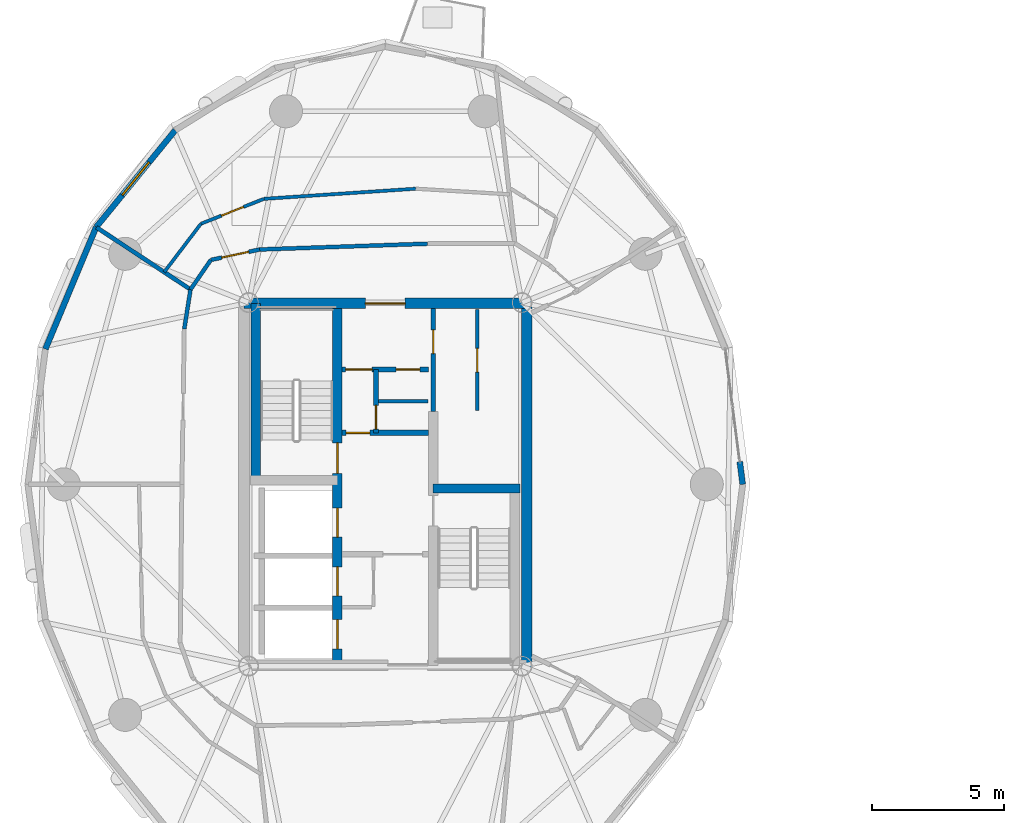
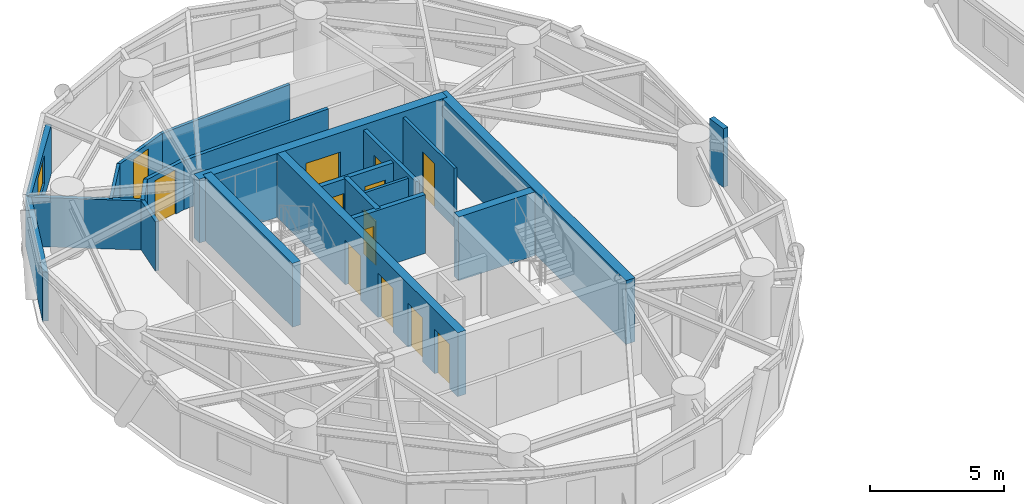
# One storey, part 9 of 16: 22 walls, 13 doors, 1 window, 14 openings.
"""IFC4 building model written with IfcOpenShell, lengths in metres."""

import ifcopenshell
import ifcopenshell.guid

model = None  # the IFC model being written
_history = None  # IfcOwnerHistory: only IFC2X3 demands one
_inside = {}  # id of a spatial element -> (the spatial element, [elements in it])
_under = {}  # id of a project, library or spatial element -> (it, [spatial elements below it])
_declared = {}  # id of a project -> (the project, [libraries it declares])
_typed = {}  # id of a type object -> (the type object, [elements of that type])
_made_of = {}  # id of a material, layer set ... -> (it, [elements and type objects made of it])


def new_model(schema):
    """Start an empty IFC model of exactly this schema.

    Asked for "IFC4X3", IfcOpenShell would pick the latest addendum, in which some entities
    have other attributes; the version numbers below select the first issue.
    IFC2X3 requires an IfcOwnerHistory on every rooted entity: one is made here for all.
    """
    global model, _history
    if schema == "IFC4X3":
        model = ifcopenshell.file(schema_version=(4, 3, 0, 0))
    else:
        model = ifcopenshell.file(schema=schema)
    _inside.clear()
    _under.clear()
    _declared.clear()
    _typed.clear()
    _made_of.clear()
    _history = None
    if model.schema == "IFC2X3":
        org = make("IfcOrganization", Name="unknown")
        user = make(
            "IfcPersonAndOrganization",
            ThePerson=make("IfcPerson", FamilyName="unknown"),
            TheOrganization=org,
        )
        app = make(
            "IfcApplication",
            ApplicationDeveloper=org,
            Version="unknown",
            ApplicationFullName="unknown",
            ApplicationIdentifier="unknown",
        )
        _history = make(
            "IfcOwnerHistory",
            OwningUser=user,
            OwningApplication=app,
            ChangeAction="ADDED",
            CreationDate=0,
        )
    return model


def make(cls, **values):
    """One entity of the class cls with the attributes given. An attribute that is None is left unset."""
    return model.create_entity(
        cls, **{name: value for name, value in values.items() if value is not None}
    )


def rooted(cls, **values):
    """An entity with a GlobalId (a new one), such as an element, a storey or a relation."""
    return make(cls, GlobalId=ifcopenshell.guid.new(), OwnerHistory=_history, **values)


def si_unit(unit_type, name, prefix=None):
    """IfcSIUnit, for example si_unit("LENGTHUNIT", "METRE", prefix="MILLI")."""
    return make("IfcSIUnit", UnitType=unit_type, Prefix=prefix, Name=name)


def assignment(units):
    """IfcUnitAssignment: the units of a project."""
    return None if units is None else make("IfcUnitAssignment", Units=units)


def point(xyz):
    """IfcCartesianPoint."""
    return None if xyz is None else make("IfcCartesianPoint", Coordinates=xyz)


def direction(xyz):
    """IfcDirection."""
    return None if xyz is None else make("IfcDirection", DirectionRatios=xyz)


def frame(location, z_axis=None, x_axis=None):
    """IfcAxis2Placement3D, a coordinate frame: its origin and axes. An axis left out is left unset."""
    return make(
        "IfcAxis2Placement3D",
        Location=point(location),
        Axis=direction(z_axis),
        RefDirection=direction(x_axis),
    )


def frame_2d(location, x_axis=None):
    """IfcAxis2Placement2D, a coordinate frame in the plane: its origin and x axis."""
    return make(
        "IfcAxis2Placement2D", Location=point(location), RefDirection=direction(x_axis)
    )


def origin():
    """The frame at (0, 0, 0) with its axes left unset."""
    return frame((0.0, 0.0, 0.0))


def place(relative_to, where):
    """IfcLocalPlacement: puts the frame where relative to a parent placement (None: the world)."""
    return make(
        "IfcLocalPlacement", PlacementRelTo=relative_to, RelativePlacement=where
    )


def context(
    kind, dimensions, precision=None, world=None, true_north=None, identifier=None
):
    """IfcGeometricRepresentationContext, for example the 3D "Model" context."""
    return make(
        "IfcGeometricRepresentationContext",
        ContextIdentifier=identifier,
        ContextType=kind,
        CoordinateSpaceDimension=dimensions,
        Precision=precision,
        WorldCoordinateSystem=world,
        TrueNorth=true_north,
    )


def subcontext(parent, identifier, kind, view, scale=None):
    """IfcGeometricRepresentationSubContext, for example "Body" below "Model"."""
    return make(
        "IfcGeometricRepresentationSubContext",
        ContextIdentifier=identifier,
        ContextType=kind,
        ParentContext=parent,
        TargetScale=scale,
        TargetView=view,
    )


def project(units=None, contexts=None):
    """IfcProject with its units and contexts."""
    return rooted(
        "IfcProject",
        Name="project",
        RepresentationContexts=contexts,
        UnitsInContext=assignment(units),
    )


def spatial(cls, under=None, at=None, **own):
    """A site, building, storey or space (cls), placed at a placement, below another one or the project."""
    s = rooted(cls, ObjectPlacement=at, **own)
    if under is not None:
        _under.setdefault(under.id(), (under, []))[1].append(s)
    return s


def profile(cls, at=None, kind="AREA", **sizes):
    """A parametric profile (cls). Its sizes go by their IFC names, for example OverallWidth=200.0."""
    return make(cls, ProfileType=kind, Position=at, **sizes)


def rectangle(**sizes):
    """IfcRectangleProfileDef."""
    return profile("IfcRectangleProfileDef", **sizes)


def extrude(swept, where, along, depth):
    """IfcExtrudedAreaSolid: the profile swept, set in the frame where, extruded along a direction by depth."""
    return make(
        "IfcExtrudedAreaSolid",
        SweptArea=swept,
        Position=where,
        ExtrudedDirection=direction(along),
        Depth=depth,
    )


def shape(context_of_items, identifier, shape_type, items):
    """IfcShapeRepresentation: the items that make up one representation, for example the "Body"."""
    return make(
        "IfcShapeRepresentation",
        ContextOfItems=context_of_items,
        RepresentationIdentifier=identifier,
        RepresentationType=shape_type,
        Items=items,
    )


def source(mapping_origin, context_of_items, identifier, shape_type, items):
    """IfcRepresentationMap: a shape defined once, which mapped items show again and again."""
    return make(
        "IfcRepresentationMap",
        MappingOrigin=mapping_origin,
        MappedRepresentation=shape(context_of_items, identifier, shape_type, items),
    )


def transform(
    local_origin,
    x_axis=None,
    y_axis=None,
    z_axis=None,
    scale=None,
    scale2=None,
    scale3=None,
    uniform=True,
):
    """IfcCartesianTransformationOperator3D, or its non-uniform kind. x_axis, y_axis, z_axis: its Axis1, 2, 3."""
    if uniform:
        return make(
            "IfcCartesianTransformationOperator3D",
            Axis1=direction(x_axis),
            Axis2=direction(y_axis),
            LocalOrigin=point(local_origin),
            Scale=scale,
            Axis3=direction(z_axis),
        )
    return make(
        "IfcCartesianTransformationOperator3DnonUniform",
        Axis1=direction(x_axis),
        Axis2=direction(y_axis),
        LocalOrigin=point(local_origin),
        Scale=scale,
        Axis3=direction(z_axis),
        Scale2=scale2,
        Scale3=scale3,
    )


def mapped(mapping_source, mapping_target):
    """IfcMappedItem: shows the shape of a source again, moved by a transform."""
    return make(
        "IfcMappedItem", MappingSource=mapping_source, MappingTarget=mapping_target
    )


def material(Name=None, Category=None):
    """IfcMaterial."""
    return make("IfcMaterial", Name=Name, Category=Category)


def layer(
    of_material, thickness, ventilated=None, Name=None, Category=None, Priority=None
):
    """IfcMaterialLayer: one layer of a wall or slab, of a material (None: an air gap)."""
    return make(
        "IfcMaterialLayer",
        Material=of_material,
        LayerThickness=thickness,
        IsVentilated=ventilated,
        Name=Name,
        Category=Category,
        Priority=Priority,
    )


def layer_set(layers, Name=None):
    """IfcMaterialLayerSet."""
    return make("IfcMaterialLayerSet", MaterialLayers=layers, LayerSetName=Name)


def made_of(thing, what):
    """Note that an element or type object is made of a material, layer set ...; save() writes the relation."""
    if what is not None:
        _made_of.setdefault(what.id(), (what, []))[1].append(thing)
    return thing


def type_object(cls, material=None, **own):
    """A type object (cls), such as IfcWallType, which elements share."""
    return made_of(rooted(cls, **own), material)


def element(
    cls,
    number,
    at=None,
    inside=None,
    cuts=None,
    type_object=None,
    material=None,
    context=None,
    identifier="Body",
    shape_type=None,
    held_by="IfcProductDefinitionShape",
    body=None,
    shapes=None,
    **own,
):
    """One element of the class cls, such as IfcWall. Its Tag is "e" and its number.

    at: its placement. inside: the storey or other place that contains it. cuts: it is an
    opening in that element (IfcRelVoidsElement). A single representation is given by context,
    identifier, shape_type and body (its items); several are given by shapes. held_by: the class
    of the entity that holds the representations. save() writes the other relations.
    """
    e = rooted(cls, Tag="e%d" % number, ObjectPlacement=at, **own)
    if body is not None:
        shapes = [shape(context, identifier, shape_type, body)]
    if shapes is not None:
        e.Representation = make(held_by, Representations=shapes)
    if inside is not None:
        _inside.setdefault(inside.id(), (inside, []))[1].append(e)
    if cuts is not None:
        rooted(
            "IfcRelVoidsElement", RelatingBuildingElement=cuts, RelatedOpeningElement=e
        )
    if type_object is not None:
        _typed.setdefault(type_object.id(), (type_object, []))[1].append(e)
    return made_of(e, material)


def fill(opening, filler):
    """IfcRelFillsElement: the door or window that sits in an opening."""
    return rooted(
        "IfcRelFillsElement",
        RelatingOpeningElement=opening,
        RelatedBuildingElement=filler,
    )


def aggregate(whole, parts):
    """IfcRelAggregates: a whole, such as a stair, and the parts it consists of."""
    return rooted("IfcRelAggregates", RelatingObject=whole, RelatedObjects=parts)


def save(model, path):
    """Write the relations noted so far, then the file.

    IfcRelAggregates (storeys below a building ...), IfcRelContainedInSpatialStructure (elements
    in a storey), IfcRelDefinesByType, IfcRelAssociatesMaterial and IfcRelDeclares: one each for
    every whole, place, type object, material and project.
    """
    for whole, parts in _under.values():
        aggregate(whole, parts)
    for where, things in _inside.values():
        rooted(
            "IfcRelContainedInSpatialStructure",
            RelatedElements=things,
            RelatingStructure=where,
        )
    for kind, things in _typed.values():
        rooted("IfcRelDefinesByType", RelatedObjects=things, RelatingType=kind)
    for what, things in _made_of.values():
        rooted("IfcRelAssociatesMaterial", RelatedObjects=things, RelatingMaterial=what)
    for by, libraries in _declared.values():
        rooted("IfcRelDeclares", RelatingContext=by, RelatedDefinitions=libraries)
    model.write(path)


model = new_model("IFC4")

# Units and contexts
model_context = context("Model", 3, precision=1e-05, world=origin(), true_north=direction((0.0, 1.0)))
body_context = subcontext(model_context, "Body", "Model", "MODEL_VIEW")
ifc_project = project(units=[si_unit("LENGTHUNIT", "METRE"), si_unit("AREAUNIT", "SQUARE_METRE"), si_unit("VOLUMEUNIT", "CUBIC_METRE"), si_unit("PLANEANGLEUNIT", "RADIAN"), si_unit("MASSUNIT", "GRAM", prefix="KILO")], contexts=[model_context])

# Site, building, storey
site_placement = place(None, origin())
site = spatial("IfcSite", under=ifc_project, at=site_placement, CompositionType="ELEMENT")
building_placement = place(site_placement, origin())
building = spatial("IfcBuilding", under=site, at=building_placement, Name="Cununo Teusaquillo Station Towers", CompositionType="ELEMENT")
storey_placement = place(building_placement, frame((0.0, 0.0, 171.969970703125)))
storey = spatial("IfcBuildingStorey", under=building, at=storey_placement, Name="L54", CompositionType="ELEMENT", Elevation=171.969970703125)

# Wall, openings, doors
ifc_material_1 = material(Name="Concrete C50/60", Category="concrete")
ifc_layer_1 = layer(ifc_material_1, 0.35009765625)
ifc_layer_set_1 = layer_set([ifc_layer_1], Name="Concrete C50/60")
wall_type_1 = type_object("IfcWallType", Name="WL-CORE-350", PredefinedType="SHEAR", material=ifc_layer_set_1)
wall_1_placement = place(storey_placement, frame((14.68505859375, 17.64990234375, 0.0), z_axis=(0.0, 0.0, 1.0), x_axis=(0.0, 1.0, 0.0)))
wall_1 = element("IfcWall", 1, at=wall_1_placement, inside=storey, type_object=wall_type_1, Name="L54 Tower A Core Shear Wall IW", PredefinedType="SHEAR", context=body_context, shape_type="SweptSolid", body=[
    extrude(rectangle(XDim=13.7001953125, YDim=0.35009765625, at=frame_2d((6.85009765625, 0.0))), origin(), (0.0, 0.0, 1.0), 2.909912109375),
])
shared_shape_1 = source(origin(), body_context, "Body", "SweptSolid", [
    extrude(rectangle(XDim=1.10009765625, YDim=2.014892578125, at=frame_2d((0.550048828125, 1.00732421875))), frame((0.0, 0.18505859375, 0.0), z_axis=(0.0, -1.0, 0.0), x_axis=(1.0, 0.0, 0.0)), (0.0, 0.0, 1.0), 0.3701171875),
])
opening_1_placement = place(wall_1_placement, frame((4.85009765625, 0.0, 0.0)))
opening_1 = element("IfcOpeningElement", 2, at=opening_1_placement, cuts=wall_1, Name="Opening LD-01", PredefinedType="OPENING", context=body_context, shape_type="MappedRepresentation", body=[
    mapped(shared_shape_1, transform((0.0, 0.0, 0.0), x_axis=(1.0, 0.0, 0.0), y_axis=(0.0, 1.0, 0.0), z_axis=(0.0, 0.0, 1.0), scale=1.0)),
])
opening_2_placement = place(wall_1_placement, frame((0.625, 0.0, 0.0)))
opening_2 = element("IfcOpeningElement", 3, at=opening_2_placement, cuts=wall_1, Name="Opening LD-01", PredefinedType="OPENING", context=body_context, shape_type="MappedRepresentation", body=[
    mapped(shared_shape_1, transform((0.0, 0.0, 0.0), x_axis=(1.0, 0.0, 0.0), y_axis=(0.0, 1.0, 0.0), z_axis=(0.0, 0.0, 1.0), scale=1.0)),
])
opening_3_placement = place(wall_1_placement, frame((2.625, 0.0, 0.0)))
opening_3 = element("IfcOpeningElement", 4, at=opening_3_placement, cuts=wall_1, Name="Opening LD-01", PredefinedType="OPENING", context=body_context, shape_type="MappedRepresentation", body=[
    mapped(shared_shape_1, transform((0.0, 0.0, 0.0), x_axis=(1.0, 0.0, 0.0), y_axis=(0.0, 1.0, 0.0), z_axis=(0.0, 0.0, 1.0), scale=1.0)),
])
shared_shape_2 = source(origin(), body_context, "Body", "SweptSolid", [
    extrude(rectangle(XDim=1.14990234375, YDim=2.02001953125, at=frame_2d((0.574951171875, 1.010009765625))), frame((0.0, 0.18505859375, 0.0), z_axis=(0.0, -1.0, 0.0), x_axis=(1.0, 0.0, 0.0)), (0.0, 0.0, 1.0), 0.3701171875),
])
opening_4_placement = place(wall_1_placement, frame((7.27001953125, 0.0, 0.0)))
opening_4 = element("IfcOpeningElement", 5, at=opening_4_placement, cuts=wall_1, Name="Opening D-ST1", PredefinedType="OPENING", context=body_context, shape_type="MappedRepresentation", body=[
    mapped(shared_shape_2, transform((0.0, 0.0, 0.0), x_axis=(1.0, 0.0, 0.0), y_axis=(0.0, 1.0, 0.0), z_axis=(0.0, 0.0, 1.0), scale=1.0)),
])
ifc_material_2 = material(Name="Galvanised fire-rated hollow steel door assembly", Category="steel")
door_type_1 = type_object("IfcDoorType", Name="DR-LIFT-1100", OperationType="SLIDING_TO_LEFT", PredefinedType="DOOR", material=ifc_material_2)
shared_shape_3 = source(origin(), body_context, "Body", "SweptSolid", [
    extrude(rectangle(XDim=1.10009765625, YDim=2.014892578125, at=frame_2d((0.550048828125, 1.00732421875))), frame((0.0, 0.02490234375, 0.0), z_axis=(0.0, -1.0, 0.0), x_axis=(1.0, 0.0, 0.0)), (0.0, 0.0, 1.0), 0.050048828125),
])
door_1_placement = place(opening_1_placement, origin())
door_1 = element("IfcDoor", 6, at=door_1_placement, inside=storey, type_object=door_type_1, Name="L54 Lift FL-T1 Sliding Landing Door", OperationType="SLIDING_TO_LEFT", OverallHeight=2.014892578125, OverallWidth=1.10009765625, PredefinedType="DOOR", context=body_context, shape_type="MappedRepresentation", body=[
    mapped(shared_shape_3, transform((0.0, 0.0, 0.0), x_axis=(1.0, 0.0, 0.0), y_axis=(0.0, 1.0, 0.0), z_axis=(0.0, 0.0, 1.0), scale=1.0)),
])
fill(opening_1, door_1)
door_2_placement = place(opening_2_placement, origin())
door_2 = element("IfcDoor", 7, at=door_2_placement, inside=storey, type_object=door_type_1, Name="L54 Lift PL-T1-H1 Sliding Landing Door", OperationType="SLIDING_TO_RIGHT", OverallHeight=2.014892578125, OverallWidth=1.10009765625, PredefinedType="DOOR", context=body_context, shape_type="MappedRepresentation", body=[
    mapped(shared_shape_3, transform((0.0, 0.0, 0.0), x_axis=(1.0, 0.0, 0.0), y_axis=(0.0, 1.0, 0.0), z_axis=(0.0, 0.0, 1.0), scale=1.0)),
])
fill(opening_2, door_2)
door_3_placement = place(opening_3_placement, origin())
door_3 = element("IfcDoor", 8, at=door_3_placement, inside=storey, type_object=door_type_1, Name="L54 Lift PL-T1-H2 Sliding Landing Door", OperationType="SLIDING_TO_LEFT", OverallHeight=2.014892578125, OverallWidth=1.10009765625, PredefinedType="DOOR", context=body_context, shape_type="MappedRepresentation", body=[
    mapped(shared_shape_3, transform((0.0, 0.0, 0.0), x_axis=(1.0, 0.0, 0.0), y_axis=(0.0, 1.0, 0.0), z_axis=(0.0, 0.0, 1.0), scale=1.0)),
])
fill(opening_3, door_3)
ifc_material_3 = material(Name="Galvanised fire-rated hollow steel door assembly", Category="steel")
door_type_2 = type_object("IfcDoorType", Name="DR-STAIR-1150", OperationType="NOTDEFINED", PredefinedType="DOOR", material=ifc_material_3)
shared_shape_4 = source(origin(), body_context, "Body", "SweptSolid", [
    extrude(rectangle(XDim=1.14990234375, YDim=2.02001953125, at=frame_2d((0.574951171875, 1.010009765625))), frame((0.0, 0.02490234375, 0.0), z_axis=(0.0, -1.0, 0.0), x_axis=(1.0, 0.0, 0.0)), (0.0, 0.0, 1.0), 0.050048828125),
])
door_4_placement = place(opening_4_placement, origin())
door_4 = element("IfcDoor", 9, at=door_4_placement, inside=storey, type_object=door_type_2, Name="L54 Tower A Exit Stair 1 Fire Door", OperationType="SINGLE_SWING_RIGHT", OverallHeight=2.02001953125, OverallWidth=1.14990234375, PredefinedType="DOOR", context=body_context, shape_type="MappedRepresentation", body=[
    mapped(shared_shape_4, transform((0.0, 0.0, 0.0), x_axis=(1.0, 0.0, 0.0), y_axis=(0.0, 1.0, 0.0), z_axis=(0.0, 0.0, 1.0), scale=1.0)),
])
fill(opening_4, door_4)

# Walls
wall_2_placement = place(storey_placement, frame((11.594970703125, 24.655029296875, 0.0), z_axis=(0.0, 0.0, 1.0), x_axis=(0.0, 1.0, 0.0)))
element("IfcWall", 10, at=wall_2_placement, inside=storey, type_object=wall_type_1, Name="L54 Tower A Core Shear Wall ST1W", PredefinedType="SHEAR", context=body_context, shape_type="SweptSolid", body=[
    extrude(rectangle(XDim=6.695068359375, YDim=0.35009765625, at=frame_2d((3.34765625, 0.0))), origin(), (0.0, 0.0, 1.0), 2.909912109375),
])
wall_3_placement = place(storey_placement, frame((18.31494140625, 24.344970703125, 0.0), z_axis=(0.0, 0.0, 1.0), x_axis=(1.0, 0.0, 0.0)))
element("IfcWall", 11, at=wall_3_placement, inside=storey, type_object=wall_type_1, Name="L54 Tower A Core Shear Wall ST2N", PredefinedType="SHEAR", context=body_context, shape_type="SweptSolid", body=[
    extrude(rectangle(XDim=3.28515625, YDim=0.35009765625, at=frame_2d((1.642578125, 0.0))), origin(), (0.0, 0.0, 1.0), 2.909912109375),
])
ifc_material_4 = material(Name="Concrete C50/60", Category="concrete")
ifc_layer_2 = layer(ifc_material_4, 0.39990234375)
ifc_layer_set_2 = layer_set([ifc_layer_2], Name="Concrete C50/60")
wall_type_2 = type_object("IfcWallType", Name="WL-CORE-400", PredefinedType="SHEAR", material=ifc_layer_set_2)
wall_4_placement = place(storey_placement, frame((21.85009765625, 17.449951171875, 0.0), z_axis=(0.0, 0.0, 1.0), x_axis=(0.0, 1.0, 0.0)))
element("IfcWall", 12, at=wall_4_placement, inside=storey, type_object=wall_type_2, Name="L54 Tower A Core Shear Wall E", PredefinedType="SHEAR", context=body_context, shape_type="SweptSolid", body=[
    extrude(rectangle(XDim=14.10009765625, YDim=0.39990234375, at=frame_2d((7.050048828125, 0.0))), origin(), (0.0, 0.0, 1.0), 2.909912109375),
])

# Wall, opening, door
wall_5_placement = place(storey_placement, frame((11.14990234375, 31.35009765625, 0.0), z_axis=(0.0, 0.0, 1.0), x_axis=(1.0, 0.0, 0.0)))
wall_5 = element("IfcWall", 13, at=wall_5_placement, inside=storey, type_object=wall_type_2, Name="L54 Tower A Core Shear Wall N", PredefinedType="SHEAR", context=body_context, shape_type="SweptSolid", body=[
    extrude(rectangle(XDim=10.7001953125, YDim=0.39990234375, at=frame_2d((5.35009765625, 0.0))), origin(), (0.0, 0.0, 1.0), 2.909912109375),
])
shared_shape_5 = source(origin(), body_context, "Body", "SweptSolid", [
    extrude(rectangle(XDim=1.5, YDim=2.02001953125, at=frame_2d((0.75, 1.010009765625))), frame((0.0, 0.2099609375, 0.0), z_axis=(0.0, -1.0, 0.0), x_axis=(1.0, 0.0, 0.0)), (0.0, 0.0, 1.0), 0.419921875),
])
opening_5_placement = place(wall_5_placement, frame((4.60009765625, 0.0, 0.0)))
opening_5 = element("IfcOpeningElement", 14, at=opening_5_placement, cuts=wall_5, Name="Opening D-LB1", PredefinedType="OPENING", context=body_context, shape_type="MappedRepresentation", body=[
    mapped(shared_shape_5, transform((0.0, 0.0, 0.0), x_axis=(1.0, 0.0, 0.0), y_axis=(0.0, 1.0, 0.0), z_axis=(0.0, 0.0, 1.0), scale=1.0)),
])
ifc_material_5 = material(Name="Galvanised fire-rated hollow steel door assembly", Category="steel")
door_type_3 = type_object("IfcDoorType", Name="DR-LOBBY-1500", OperationType="DOUBLE_DOOR_SINGLE_SWING", PredefinedType="DOOR", material=ifc_material_5)
shared_shape_6 = source(origin(), body_context, "Body", "SweptSolid", [
    extrude(rectangle(XDim=1.5, YDim=2.02001953125, at=frame_2d((0.75, 1.010009765625))), frame((0.0, 0.02490234375, 0.0), z_axis=(0.0, -1.0, 0.0), x_axis=(1.0, 0.0, 0.0)), (0.0, 0.0, 1.0), 0.050048828125),
])
door_5_placement = place(opening_5_placement, origin())
door_5 = element("IfcDoor", 15, at=door_5_placement, inside=storey, type_object=door_type_3, Name="L54 Tower A North Core Lift Lobby Door", OperationType="DOUBLE_DOOR_SINGLE_SWING", OverallHeight=2.02001953125, OverallWidth=1.5, PredefinedType="DOOR", context=body_context, shape_type="MappedRepresentation", body=[
    mapped(shared_shape_6, transform((0.0, 0.0, 0.0), x_axis=(1.0, 0.0, 0.0), y_axis=(0.0, 1.0, 0.0), z_axis=(0.0, 0.0, 1.0), scale=1.0)),
])
fill(opening_5, door_5)

# Wall
ifc_material_6 = material(Name="Precast concrete C40/50", Category="concrete")
ifc_layer_3 = layer(ifc_material_6, 0.219970703125)
ifc_layer_set_3 = layer_set([ifc_layer_3], Name="Precast concrete C40/50")
wall_type_3 = type_object("IfcWallType", Name="WL-EXT-220", PredefinedType="SOLIDWALL", material=ifc_layer_set_3)
wall_6_placement = place(storey_placement, frame((29.91943359375, 25.36279296875, 0.0), z_axis=(0.0, 0.0, 1.0), x_axis=(0.128247365719, -0.991742211054, 0.0)))
element("IfcWall", 16, at=wall_6_placement, inside=storey, type_object=wall_type_3, Name="L54 Tower A Column Pier Cladding Wall C00-PB", PredefinedType="SOLIDWALL", context=body_context, shape_type="SweptSolid", body=[
    extrude(rectangle(XDim=0.869873046875, YDim=0.219970703125, at=frame_2d((0.43505859375, 0.0))), origin(), (0.0, 0.0, 1.0), 2.675048828125),
])

# Wall, opening, window
wall_7_placement = place(storey_placement, frame((5.55322265625, 34.239501953125, 0.0), z_axis=(0.0, 0.0, 1.0), x_axis=(0.632470615287, 0.774584353572, 0.0)))
wall_7 = element("IfcWall", 17, at=wall_7_placement, inside=storey, type_object=wall_type_3, Name="L54 Tower A Exterior Facade Wall C07", PredefinedType="SOLIDWALL", context=body_context, shape_type="SweptSolid", body=[
    extrude(rectangle(XDim=4.73291015625, YDim=0.219970703125, at=frame_2d((2.366455078125, 0.0))), origin(), (0.0, 0.0, 1.0), 2.2451171875),
])
shared_shape_7 = source(origin(), body_context, "Body", "SweptSolid", [
    extrude(rectangle(XDim=1.60009765625, YDim=1.300048828125, at=frame_2d((0.800048828125, 0.64990234375))), frame((0.0, 0.119873046875, 0.0), z_axis=(0.0, -1.0, 0.0), x_axis=(1.0, 0.0, 0.0)), (0.0, 0.0, 1.0), 0.239990234375),
])
opening_6_placement = place(wall_7_placement, frame((1.56591796875, 0.0, 0.64990234375)))
opening_6 = element("IfcOpeningElement", 18, at=opening_6_placement, cuts=wall_7, Name="Opening WN-03", PredefinedType="OPENING", context=body_context, shape_type="MappedRepresentation", body=[
    mapped(shared_shape_7, transform((0.0, 0.0, 0.0), x_axis=(1.0, 0.0, 0.0), y_axis=(0.0, 1.0, 0.0), z_axis=(0.0, 0.0, 1.0), scale=1.0)),
])
ifc_material_7 = material(Name="Ceramic-fritted dark low-E double glazing", Category="glass")
window_type = type_object("IfcWindowType", Name="WIN-CORN-1600", PartitioningType="SINGLE_PANEL", PredefinedType="WINDOW", material=ifc_material_7)
shared_shape_8 = source(origin(), body_context, "Body", "SweptSolid", [
    extrude(rectangle(XDim=1.60009765625, YDim=1.300048828125, at=frame_2d((0.800048828125, 0.64990234375))), frame((0.0, 0.030029296875, 0.0), z_axis=(0.0, -1.0, 0.0), x_axis=(1.0, 0.0, 0.0)), (0.0, 0.0, 1.0), 0.06005859375),
])
window_placement = place(opening_6_placement, origin())
window = element("IfcWindow", 19, at=window_placement, inside=storey, type_object=window_type, Name="L54 Tower A Facade Window C07", OverallHeight=1.300048828125, OverallWidth=1.60009765625, PartitioningType="SINGLE_PANEL", PredefinedType="WINDOW", context=body_context, shape_type="MappedRepresentation", body=[
    mapped(shared_shape_8, transform((0.0, 0.0, 0.0), x_axis=(1.0, 0.0, 0.0), y_axis=(0.0, 1.0, 0.0), z_axis=(0.0, 0.0, 1.0), scale=1.0)),
])
fill(opening_6, window)

# Walls
wall_8_placement = place(storey_placement, frame((3.63134765625, 29.620361328125, 0.0), z_axis=(0.0, 0.0, 1.0), x_axis=(0.384144094086, 0.923273152961, 0.0)))
element("IfcWall", 20, at=wall_8_placement, inside=storey, type_object=wall_type_3, Name="L54 Tower A Exterior Facade Wall C08", PredefinedType="SOLIDWALL", context=body_context, shape_type="SweptSolid", body=[
    extrude(rectangle(XDim=5.0029296875, YDim=0.219970703125, at=frame_2d((2.50146484375, 0.0))), origin(), (0.0, 0.0, 1.0), 2.2451171875),
])
ifc_material_8 = material(Name="Fire-rated gypsum plasterboard partition assembly", Category="gypsum")
ifc_layer_4 = layer(ifc_material_8, 0.125)
ifc_layer_set_4 = layer_set([ifc_layer_4], Name="Fire-rated gypsum plasterboard partition assembly")
wall_type_4 = type_object("IfcWallType", Name="WL-PART-125", PredefinedType="PARTITIONING", material=ifc_layer_set_4)
wall_9_placement = place(storey_placement, frame((16.239990234375, 27.64990234375, 0.0), z_axis=(0.0, 0.0, 1.0), x_axis=(1.0, 0.0, 0.0)))
element("IfcWall", 21, at=wall_9_placement, inside=storey, type_object=wall_type_4, Name="L54 Tower A Core Horizontal Split Wall", PredefinedType="PARTITIONING", context=body_context, shape_type="SweptSolid", body=[
    extrude(rectangle(XDim=1.880126953125, YDim=0.125, at=frame_2d((0.93994140625, 0.0))), origin(), (0.0, 0.0, 1.0), 2.675048828125),
])

# Wall, opening, door
wall_10_placement = place(storey_placement, frame((19.97998046875, 27.300048828125, 0.0), z_axis=(0.0, 0.0, 1.0), x_axis=(0.0, 1.0, 0.0)))
wall_10 = element("IfcWall", 22, at=wall_10_placement, inside=storey, type_object=wall_type_4, Name="L54 Tower A Reclaimed Bay Vertical Split Wall", PredefinedType="PARTITIONING", context=body_context, shape_type="SweptSolid", body=[
    extrude(rectangle(XDim=3.820068359375, YDim=0.125, at=frame_2d((1.91015625, 0.0))), origin(), (0.0, 0.0, 1.0), 2.675048828125),
])
shared_shape_9 = source(origin(), body_context, "Body", "SweptSolid", [
    extrude(rectangle(XDim=0.89990234375, YDim=2.0048828125, at=frame_2d((0.449951171875, 1.00244140625))), frame((0.0, 0.072509765625, 0.0), z_axis=(0.0, -1.0, 0.0), x_axis=(1.0, 0.0, 0.0)), (0.0, 0.0, 1.0), 0.14501953125),
])
opening_7_placement = place(wall_10_placement, frame((1.449951171875, 0.0, 0.0)))
opening_7 = element("IfcOpeningElement", 23, at=opening_7_placement, cuts=wall_10, Name="Opening D-IN1", PredefinedType="OPENING", context=body_context, shape_type="MappedRepresentation", body=[
    mapped(shared_shape_9, transform((0.0, 0.0, 0.0), x_axis=(1.0, 0.0, 0.0), y_axis=(0.0, 1.0, 0.0), z_axis=(0.0, 0.0, 1.0), scale=1.0)),
])
ifc_material_9 = material(Name="Acoustic solid-core hardwood leaf assembly", Category="wood")
door_type_4 = type_object("IfcDoorType", Name="DR-INT-900", OperationType="NOTDEFINED", PredefinedType="DOOR", material=ifc_material_9)
shared_shape_10 = source(origin(), body_context, "Body", "SweptSolid", [
    extrude(rectangle(XDim=0.89990234375, YDim=2.0048828125, at=frame_2d((0.449951171875, 1.00244140625))), frame((0.0, 0.02490234375, 0.0), z_axis=(0.0, -1.0, 0.0), x_axis=(1.0, 0.0, 0.0)), (0.0, 0.0, 1.0), 0.050048828125),
])
door_6_placement = place(opening_7_placement, origin())
door_6 = element("IfcDoor", 24, at=door_6_placement, inside=storey, type_object=door_type_4, Name="L54 Tower A Reclaimed Acoustic Booth Door", OperationType="SINGLE_SWING_RIGHT", OverallHeight=2.0048828125, OverallWidth=0.89990234375, PredefinedType="DOOR", context=body_context, shape_type="MappedRepresentation", body=[
    mapped(shared_shape_10, transform((0.0, 0.0, 0.0), x_axis=(1.0, 0.0, 0.0), y_axis=(0.0, 1.0, 0.0), z_axis=(0.0, 0.0, 1.0), scale=1.0)),
])
fill(opening_7, door_6)

# Wall
wall_11_placement = place(storey_placement, frame((17.653564453125, 35.69287109375, 0.0), z_axis=(0.0, 0.0, 1.0), x_axis=(-0.997772764399, -0.06670465219, 0.0)))
element("IfcWall", 25, at=wall_11_placement, inside=storey, type_object=wall_type_4, Name="L54 Tower A Private Butler & Banquet Hall Concentric Partition Wall C05", PredefinedType="PARTITIONING", context=body_context, shape_type="SweptSolid", body=[
    extrude(rectangle(XDim=5.760986328125, YDim=0.125, at=frame_2d((2.88037109375, 0.0))), origin(), (0.0, 0.0, 1.0), 2.2451171875),
])

# Wall, opening, door
wall_12_placement = place(storey_placement, frame((11.905517578125, 35.30859375, 0.0), z_axis=(0.0, 0.0, 1.0), x_axis=(-0.930011423211, -0.367530614639, 0.0)))
wall_12 = element("IfcWall", 26, at=wall_12_placement, inside=storey, type_object=wall_type_4, Name="L54 Tower A Private Butler & Banquet Hall Concentric Partition Wall C06", PredefinedType="PARTITIONING", context=body_context, shape_type="SweptSolid", body=[
    extrude(rectangle(XDim=2.564697265625, YDim=0.125, at=frame_2d((1.2822265625, 0.0))), origin(), (0.0, 0.0, 1.0), 2.2451171875),
])
opening_8_placement = place(wall_12_placement, frame((0.832275390625, 0.0, 0.0)))
opening_8 = element("IfcOpeningElement", 27, at=opening_8_placement, cuts=wall_12, Name="Opening D-IN1", PredefinedType="OPENING", context=body_context, shape_type="MappedRepresentation", body=[
    mapped(shared_shape_9, transform((0.0, 0.0, 0.0), x_axis=(1.0, 0.0, 0.0), y_axis=(0.0, 1.0, 0.0), z_axis=(0.0, 0.0, 1.0), scale=1.0)),
])
door_7_placement = place(opening_8_placement, origin())
door_7 = element("IfcDoor", 28, at=door_7_placement, inside=storey, type_object=door_type_4, Name="L54 Tower A Private Butler & Banquet Hall Connecting Door", OperationType="SINGLE_SWING_RIGHT", OverallHeight=2.0048828125, OverallWidth=0.89990234375, PredefinedType="DOOR", context=body_context, shape_type="MappedRepresentation", body=[
    mapped(shared_shape_10, transform((0.0, 0.0, 0.0), x_axis=(1.0, 0.0, 0.0), y_axis=(0.0, 1.0, 0.0), z_axis=(0.0, 0.0, 1.0), scale=1.0)),
])
fill(opening_8, door_7)

# Walls
wall_13_placement = place(storey_placement, frame((9.520263671875, 34.365966796875, 0.0), z_axis=(0.0, 0.0, 1.0), x_axis=(-0.604900120492, -0.796301352648, 0.0)))
element("IfcWall", 29, at=wall_13_placement, inside=storey, type_object=wall_type_4, Name="L54 Tower A Private Butler & Banquet Hall Concentric Partition Wall C07", PredefinedType="PARTITIONING", context=body_context, shape_type="SweptSolid", body=[
    extrude(rectangle(XDim=2.298583984375, YDim=0.125, at=frame_2d((1.1494140625, 0.0))), origin(), (0.0, 0.0, 1.0), 2.2451171875),
])
ifc_material_10 = material(Name="Fire-rated gypsum plasterboard partition assembly", Category="gypsum")
ifc_layer_5 = layer(ifc_material_10, 0.14990234375)
ifc_layer_set_5 = layer_set([ifc_layer_5], Name="Fire-rated gypsum plasterboard partition assembly")
wall_type_5 = type_object("IfcWallType", Name="WL-PART-150", PredefinedType="PARTITIONING", material=ifc_layer_set_5)
wall_14_placement = place(storey_placement, frame((18.10205078125, 33.609619140625, 0.0), z_axis=(0.0, 0.0, 1.0), x_axis=(-0.999410320072, -0.034336746121, 0.0)))
element("IfcWall", 30, at=wall_14_placement, inside=storey, type_object=wall_type_5, Name="L54 Tower A Corridor Ring Wall C05", PredefinedType="PARTITIONING", context=body_context, shape_type="SweptSolid", body=[
    extrude(rectangle(XDim=6.363525390625, YDim=0.14990234375, at=frame_2d((3.181640625, 0.0))), origin(), (0.0, 0.0, 1.0), 2.2451171875),
])

# Wall, opening, door
wall_15_placement = place(storey_placement, frame((11.7421875, 33.39111328125, 0.0), z_axis=(0.0, 0.0, 1.0), x_axis=(-0.977853431612, -0.209290865268, 0.0)))
wall_15 = element("IfcWall", 31, at=wall_15_placement, inside=storey, type_object=wall_type_5, Name="L54 Tower A Corridor Ring Wall C06", PredefinedType="PARTITIONING", context=body_context, shape_type="SweptSolid", body=[
    extrude(rectangle(XDim=1.8896484375, YDim=0.14990234375, at=frame_2d((0.94482421875, 0.0))), origin(), (0.0, 0.0, 1.0), 2.2451171875),
])
shared_shape_11 = source(origin(), body_context, "Body", "SweptSolid", [
    extrude(rectangle(XDim=1.050048828125, YDim=2.014892578125, at=frame_2d((0.52490234375, 1.00732421875))), frame((0.0, 0.0849609375, 0.0), z_axis=(0.0, -1.0, 0.0), x_axis=(1.0, 0.0, 0.0)), (0.0, 0.0, 1.0), 0.169921875),
])
opening_9_placement = place(wall_15_placement, frame((0.419921875, 0.0, 0.0)))
opening_9 = element("IfcOpeningElement", 32, at=opening_9_placement, cuts=wall_15, Name="Opening D-SU1", PredefinedType="OPENING", context=body_context, shape_type="MappedRepresentation", body=[
    mapped(shared_shape_11, transform((0.0, 0.0, 0.0), x_axis=(1.0, 0.0, 0.0), y_axis=(0.0, 1.0, 0.0), z_axis=(0.0, 0.0, 1.0), scale=1.0)),
])
ifc_material_11 = material(Name="Acoustic solid-core hardwood leaf assembly", Category="wood")
door_type_5 = type_object("IfcDoorType", Name="DR-SUITE-1050", OperationType="NOTDEFINED", PredefinedType="DOOR", material=ifc_material_11)
shared_shape_12 = source(origin(), body_context, "Body", "SweptSolid", [
    extrude(rectangle(XDim=1.050048828125, YDim=2.014892578125, at=frame_2d((0.52490234375, 1.00732421875))), frame((0.0, 0.02490234375, 0.0), z_axis=(0.0, -1.0, 0.0), x_axis=(1.0, 0.0, 0.0)), (0.0, 0.0, 1.0), 0.050048828125),
])
door_8_placement = place(opening_9_placement, origin())
door_8 = element("IfcDoor", 33, at=door_8_placement, inside=storey, type_object=door_type_5, Name="L54 Tower A Private Butler & Banquet Hall Entrance Door", OperationType="SINGLE_SWING_LEFT", OverallHeight=2.014892578125, OverallWidth=1.050048828125, PredefinedType="DOOR", context=body_context, shape_type="MappedRepresentation", body=[
    mapped(shared_shape_12, transform((0.0, 0.0, 0.0), x_axis=(1.0, 0.0, 0.0), y_axis=(0.0, 1.0, 0.0), z_axis=(0.0, 0.0, 1.0), scale=1.0)),
])
fill(opening_9, door_8)

# Walls
wall_16_placement = place(storey_placement, frame((9.894287109375, 32.99560546875, 0.0), z_axis=(0.0, 0.0, 1.0), x_axis=(-0.566521185207, -0.824047175052, 0.0)))
element("IfcWall", 34, at=wall_16_placement, inside=storey, type_object=wall_type_5, Name="L54 Tower A Corridor Ring Wall C07", PredefinedType="PARTITIONING", context=body_context, shape_type="SweptSolid", body=[
    extrude(rectangle(XDim=1.356689453125, YDim=0.14990234375, at=frame_2d((0.67822265625, 0.0))), origin(), (0.0, 0.0, 1.0), 2.2451171875),
])
wall_17_placement = place(storey_placement, frame((9.125732421875, 31.877685546875, 0.0), z_axis=(0.0, 0.0, 1.0), x_axis=(-0.156632813117, -0.98765690493, 0.0)))
element("IfcWall", 35, at=wall_17_placement, inside=storey, type_object=wall_type_5, Name="L54 Tower A Corridor Ring Wall C08", PredefinedType="PARTITIONING", context=body_context, shape_type="SweptSolid", body=[
    extrude(rectangle(XDim=1.51513671875, YDim=0.14990234375, at=frame_2d((0.757568359375, 0.0))), origin(), (0.0, 0.0, 1.0), 2.2451171875),
])

# Wall, opening, door
ifc_material_12 = material(Name="Fire-rated gypsum plasterboard partition assembly", Category="gypsum")
ifc_layer_6 = layer(ifc_material_12, 0.159912109375)
ifc_layer_set_6 = layer_set([ifc_layer_6], Name="Fire-rated gypsum plasterboard partition assembly")
wall_type_6 = type_object("IfcWallType", Name="WL-PART-160", PredefinedType="PARTITIONING", material=ifc_layer_set_6)
wall_18_placement = place(storey_placement, frame((18.31494140625, 27.25, 0.0), z_axis=(0.0, 0.0, 1.0), x_axis=(0.0, 1.0, 0.0)))
wall_18 = element("IfcWall", 36, at=wall_18_placement, inside=storey, type_object=wall_type_6, Name="L54 Tower A Reclaimed Core Bay Entry Wall", PredefinedType="PARTITIONING", context=body_context, shape_type="SweptSolid", body=[
    extrude(rectangle(XDim=3.89990234375, YDim=0.159912109375, at=frame_2d((1.949951171875, 0.0))), origin(), (0.0, 0.0, 1.0), 2.675048828125),
])
shared_shape_13 = source(origin(), body_context, "Body", "SweptSolid", [
    extrude(rectangle(XDim=0.89990234375, YDim=2.0048828125, at=frame_2d((0.449951171875, 1.00244140625))), frame((0.0, 0.08984375, 0.0), z_axis=(0.0, -1.0, 0.0), x_axis=(1.0, 0.0, 0.0)), (0.0, 0.0, 1.0), 0.179931640625),
])
opening_10_placement = place(wall_18_placement, frame((2.199951171875, 0.0, 0.0)))
opening_10 = element("IfcOpeningElement", 37, at=opening_10_placement, cuts=wall_18, Name="Opening D-IN1", PredefinedType="OPENING", context=body_context, shape_type="MappedRepresentation", body=[
    mapped(shared_shape_13, transform((0.0, 0.0, 0.0), x_axis=(1.0, 0.0, 0.0), y_axis=(0.0, 1.0, 0.0), z_axis=(0.0, 0.0, 1.0), scale=1.0)),
])
door_9_placement = place(opening_10_placement, origin())
door_9 = element("IfcDoor", 38, at=door_9_placement, inside=storey, type_object=door_type_4, Name="L54 Tower A Reclaimed Meeting Room Door", OperationType="SINGLE_SWING_LEFT", OverallHeight=2.0048828125, OverallWidth=0.89990234375, PredefinedType="DOOR", context=body_context, shape_type="MappedRepresentation", body=[
    mapped(shared_shape_10, transform((0.0, 0.0, 0.0), x_axis=(1.0, 0.0, 0.0), y_axis=(0.0, 1.0, 0.0), z_axis=(0.0, 0.0, 1.0), scale=1.0)),
])
fill(opening_10, door_9)

# Wall
wall_19_placement = place(storey_placement, frame((9.125732421875, 31.877685546875, 0.0), z_axis=(0.0, 0.0, 1.0), x_axis=(-0.834299098788, 0.551312083815, 0.0)))
element("IfcWall", 39, at=wall_19_placement, inside=storey, type_object=wall_type_6, Name="L54 Tower A Radial Suite Partition R03", PredefinedType="PARTITIONING", context=body_context, shape_type="SweptSolid", body=[
    extrude(rectangle(XDim=4.2626953125, YDim=0.159912109375, at=frame_2d((2.13134765625, 0.0))), origin(), (0.0, 0.0, 1.0), 2.2451171875),
])

# Wall, opening, door
ifc_material_13 = material(Name="Fire-rated gypsum plasterboard partition assembly", Category="gypsum")
ifc_layer_7 = layer(ifc_material_13, 0.199951171875)
ifc_layer_set_7 = layer_set([ifc_layer_7], Name="Fire-rated gypsum plasterboard partition assembly")
wall_type_7 = type_object("IfcWallType", Name="WL-PART-200", PredefinedType="PARTITIONING", material=ifc_layer_set_7)
wall_20_placement = place(storey_placement, frame((14.860107421875, 26.449951171875, 0.0), z_axis=(0.0, 0.0, 1.0), x_axis=(1.0, 0.0, 0.0)))
wall_20 = element("IfcWall", 40, at=wall_20_placement, inside=storey, type_object=wall_type_7, Name="L54 Tower A Firefighting Lift Lobby North Fire Wall", PredefinedType="PARTITIONING", context=body_context, shape_type="SweptSolid", body=[
    extrude(rectangle(XDim=3.27978515625, YDim=0.199951171875, at=frame_2d((1.639892578125, 0.0))), origin(), (0.0, 0.0, 1.0), 2.675048828125),
])
shared_shape_14 = source(origin(), body_context, "Body", "SweptSolid", [
    extrude(rectangle(XDim=0.89990234375, YDim=2.0048828125, at=frame_2d((0.449951171875, 1.00244140625))), frame((0.0, 0.10986328125, 0.0), z_axis=(0.0, -1.0, 0.0), x_axis=(1.0, 0.0, 0.0)), (0.0, 0.0, 1.0), 0.219970703125),
])
opening_11_placement = place(wall_20_placement, frame((0.159912109375, 0.0, 0.0)))
opening_11 = element("IfcOpeningElement", 41, at=opening_11_placement, cuts=wall_20, Name="Opening D-SR1", PredefinedType="OPENING", context=body_context, shape_type="MappedRepresentation", body=[
    mapped(shared_shape_14, transform((0.0, 0.0, 0.0), x_axis=(1.0, 0.0, 0.0), y_axis=(0.0, 1.0, 0.0), z_axis=(0.0, 0.0, 1.0), scale=1.0)),
])
ifc_material_14 = material(Name="Galvanised fire-rated hollow steel door assembly", Category="steel")
door_type_6 = type_object("IfcDoorType", Name="DR-STORE-900", OperationType="NOTDEFINED", PredefinedType="DOOR", material=ifc_material_14)
door_10_placement = place(opening_11_placement, origin())
door_10 = element("IfcDoor", 42, at=door_10_placement, inside=storey, type_object=door_type_6, Name="L54 Tower A Stair 1 Protected Vestibule South Door", OperationType="SINGLE_SWING_RIGHT", OverallHeight=2.0048828125, OverallWidth=0.89990234375, PredefinedType="DOOR", context=body_context, shape_type="MappedRepresentation", body=[
    mapped(shared_shape_10, transform((0.0, 0.0, 0.0), x_axis=(1.0, 0.0, 0.0), y_axis=(0.0, 1.0, 0.0), z_axis=(0.0, 0.0, 1.0), scale=1.0)),
])
fill(opening_11, door_10)

wall_21_placement = place(storey_placement, frame((16.14990234375, 26.449951171875, 0.0), z_axis=(0.0, 0.0, 1.0), x_axis=(0.0, 1.0, 0.0)))
wall_21 = element("IfcWall", 43, at=wall_21_placement, inside=storey, type_object=wall_type_7, Name="L54 Tower A Stair 1 Vestibule Partition Wall", PredefinedType="PARTITIONING", context=body_context, shape_type="SweptSolid", body=[
    extrude(rectangle(XDim=2.400146484375, YDim=0.199951171875, at=frame_2d((1.2001953125, 0.0))), origin(), (0.0, 0.0, 1.0), 2.675048828125),
])
opening_12_placement = place(wall_21_placement, frame((0.139892578125, 0.0, 0.0)))
opening_12 = element("IfcOpeningElement", 44, at=opening_12_placement, cuts=wall_21, Name="Opening D-SR1", PredefinedType="OPENING", context=body_context, shape_type="MappedRepresentation", body=[
    mapped(shared_shape_14, transform((0.0, 0.0, 0.0), x_axis=(1.0, 0.0, 0.0), y_axis=(0.0, 1.0, 0.0), z_axis=(0.0, 0.0, 1.0), scale=1.0)),
])
door_11_placement = place(opening_12_placement, origin())
door_11 = element("IfcDoor", 45, at=door_11_placement, inside=storey, type_object=door_type_6, Name="L54 Tower A Core Linen Store Door", OperationType="SINGLE_SWING_LEFT", OverallHeight=2.0048828125, OverallWidth=0.89990234375, PredefinedType="DOOR", context=body_context, shape_type="MappedRepresentation", body=[
    mapped(shared_shape_10, transform((0.0, 0.0, 0.0), x_axis=(1.0, 0.0, 0.0), y_axis=(0.0, 1.0, 0.0), z_axis=(0.0, 0.0, 1.0), scale=1.0)),
])
fill(opening_12, door_11)

# Wall, openings, doors
wall_22_placement = place(storey_placement, frame((14.860107421875, 28.85009765625, 0.0), z_axis=(0.0, 0.0, 1.0), x_axis=(1.0, 0.0, 0.0)))
wall_22 = element("IfcWall", 46, at=wall_22_placement, inside=storey, type_object=wall_type_7, Name="L54 Tower A North Lift Lobby South Fire Wall", PredefinedType="PARTITIONING", context=body_context, shape_type="SweptSolid", body=[
    extrude(rectangle(XDim=3.27978515625, YDim=0.199951171875, at=frame_2d((1.639892578125, 0.0))), origin(), (0.0, 0.0, 1.0), 2.675048828125),
])
shared_shape_15 = source(origin(), body_context, "Body", "SweptSolid", [
    extrude(rectangle(XDim=1.0, YDim=2.014892578125, at=frame_2d((0.5, 1.00732421875))), frame((0.0, 0.10986328125, 0.0), z_axis=(0.0, -1.0, 0.0), x_axis=(1.0, 0.0, 0.0)), (0.0, 0.0, 1.0), 0.219970703125),
])
opening_13_placement = place(wall_22_placement, frame((0.139892578125, 0.0, 0.0)))
opening_13 = element("IfcOpeningElement", 47, at=opening_13_placement, cuts=wall_22, Name="Opening D-AC1", PredefinedType="OPENING", context=body_context, shape_type="MappedRepresentation", body=[
    mapped(shared_shape_15, transform((0.0, 0.0, 0.0), x_axis=(1.0, 0.0, 0.0), y_axis=(0.0, 1.0, 0.0), z_axis=(0.0, 0.0, 1.0), scale=1.0)),
])
opening_14_placement = place(wall_22_placement, frame((2.050048828125, 0.0, 0.0)))
opening_14 = element("IfcOpeningElement", 48, at=opening_14_placement, cuts=wall_22, Name="Opening D-SR1", PredefinedType="OPENING", context=body_context, shape_type="MappedRepresentation", body=[
    mapped(shared_shape_14, transform((0.0, 0.0, 0.0), x_axis=(1.0, 0.0, 0.0), y_axis=(0.0, 1.0, 0.0), z_axis=(0.0, 0.0, 1.0), scale=1.0)),
])
door_12_placement = place(opening_14_placement, origin())
door_12 = element("IfcDoor", 49, at=door_12_placement, inside=storey, type_object=door_type_6, Name="L54 Tower A Core Comms Room Door", OperationType="SINGLE_SWING_RIGHT", OverallHeight=2.0048828125, OverallWidth=0.89990234375, PredefinedType="DOOR", context=body_context, shape_type="MappedRepresentation", body=[
    mapped(shared_shape_10, transform((0.0, 0.0, 0.0), x_axis=(1.0, 0.0, 0.0), y_axis=(0.0, 1.0, 0.0), z_axis=(0.0, 0.0, 1.0), scale=1.0)),
])
fill(opening_14, door_12)
ifc_material_15 = material(Name="Acoustic solid-core hardwood leaf assembly", Category="wood")
door_type_7 = type_object("IfcDoorType", Name="DR-ACC-1000", OperationType="NOTDEFINED", PredefinedType="DOOR", material=ifc_material_15)
shared_shape_16 = source(origin(), body_context, "Body", "SweptSolid", [
    extrude(rectangle(XDim=1.0, YDim=2.014892578125, at=frame_2d((0.5, 1.00732421875))), frame((0.0, 0.02490234375, 0.0), z_axis=(0.0, -1.0, 0.0), x_axis=(1.0, 0.0, 0.0)), (0.0, 0.0, 1.0), 0.050048828125),
])
door_13_placement = place(opening_13_placement, origin())
door_13 = element("IfcDoor", 50, at=door_13_placement, inside=storey, type_object=door_type_7, Name="L54 Tower A North Lift Lobby to Stair 1 Vestibule Door", OperationType="SINGLE_SWING_LEFT", OverallHeight=2.014892578125, OverallWidth=1.0, PredefinedType="DOOR", context=body_context, shape_type="MappedRepresentation", body=[
    mapped(shared_shape_16, transform((0.0, 0.0, 0.0), x_axis=(1.0, 0.0, 0.0), y_axis=(0.0, 1.0, 0.0), z_axis=(0.0, 0.0, 1.0), scale=1.0)),
])
fill(opening_13, door_13)

save(model, "model.ifc")
